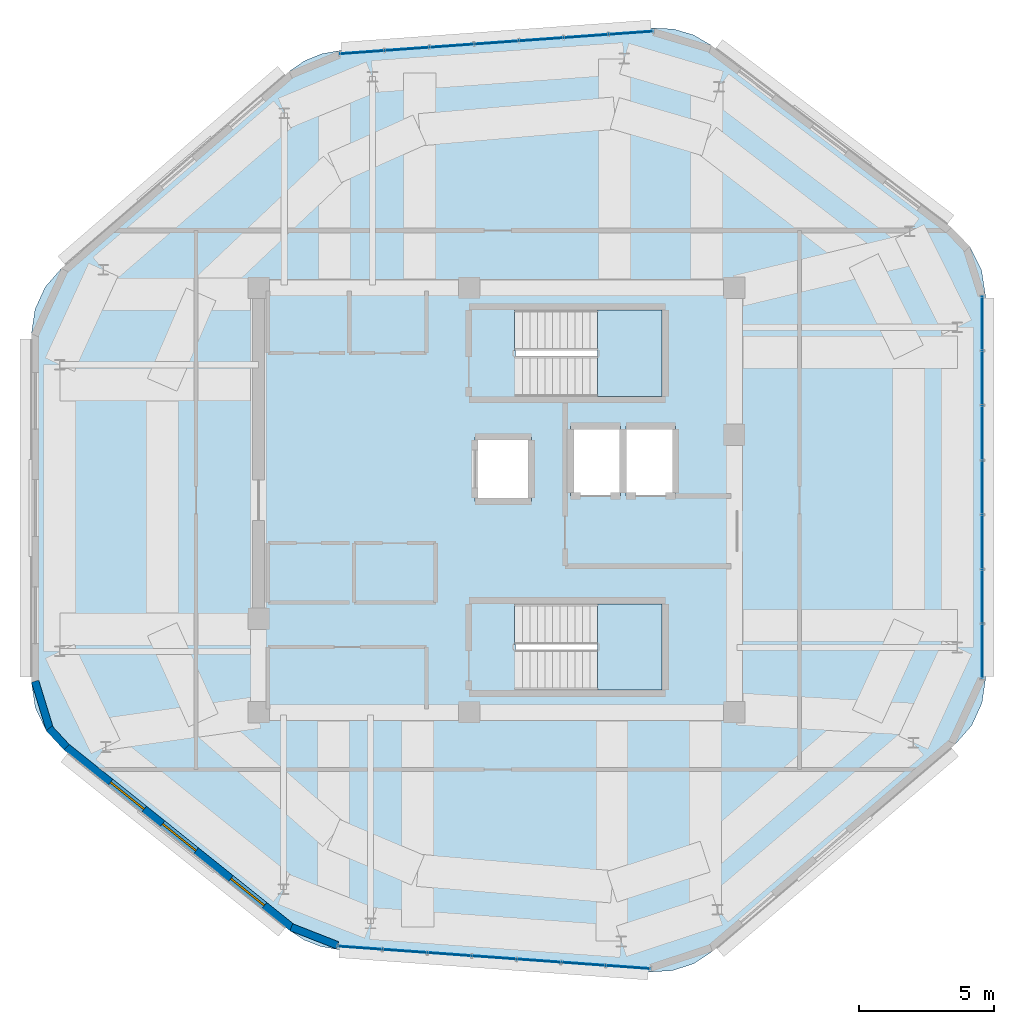
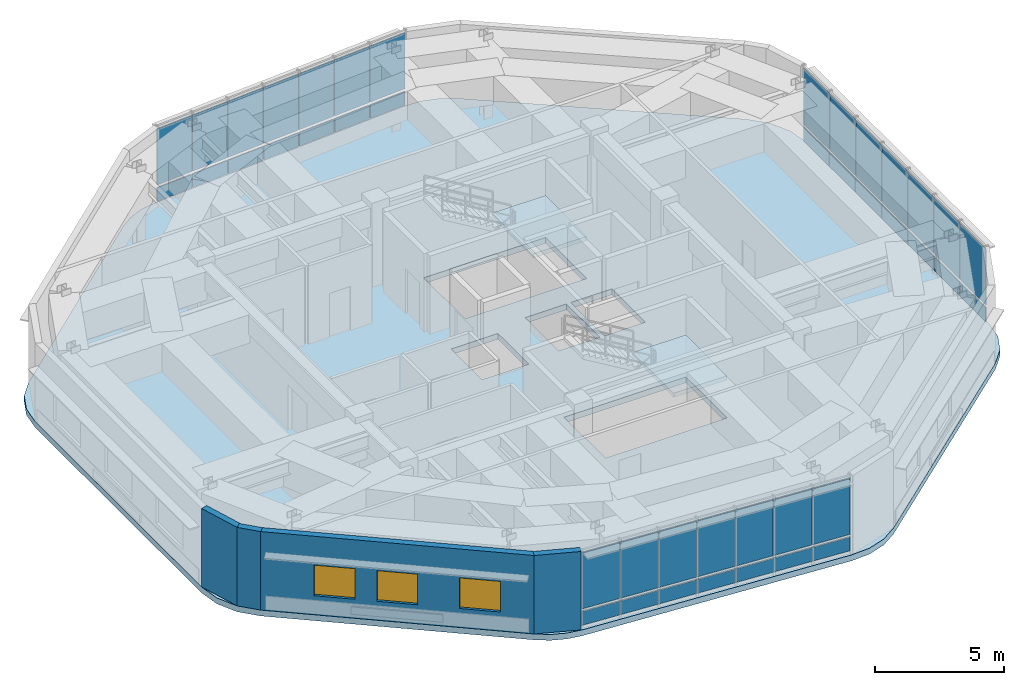
# One storey, part 9 of 12: 42 plates, 4 walls, 3 slabs, 3 windows, 3 openings, 5 elements without a shape of their own.
"""IFC4 building model written with IfcOpenShell, lengths in metres."""

from ifc_helpers import new_model, si_unit, direction, frame, frame_2d, origin, origin_2d, place, context, subcontext, project, spatial, polyline, rectangle, outline, extrude, material, layer, layer_set, type_object, element, fill, aggregate, save


model = new_model("IFC4")

# Units and contexts
model_context = context("Model", 3, precision=1e-05, world=origin(), true_north=direction((0.0, 1.0)))
body_context = subcontext(model_context, "Body", "Model", "MODEL_VIEW")
ifc_project = project(units=[si_unit("LENGTHUNIT", "METRE"), si_unit("AREAUNIT", "SQUARE_METRE"), si_unit("VOLUMEUNIT", "CUBIC_METRE"), si_unit("PLANEANGLEUNIT", "RADIAN"), si_unit("MASSUNIT", "GRAM", prefix="KILO")], contexts=[model_context])

# Site, building, storey
site_placement = place(None, origin())
site = spatial("IfcSite", under=ifc_project, at=site_placement, CompositionType="ELEMENT")
building_placement = place(site_placement, origin())
building = spatial("IfcBuilding", under=site, at=building_placement, Name="Zulverin Broadcast Headquarters", CompositionType="ELEMENT")
storey_placement = place(building_placement, frame((0.0, 0.0, 325.39990234375)))
storey = spatial("IfcBuildingStorey", under=building, at=storey_placement, Name="C4", CompositionType="ELEMENT", Elevation=325.39990234375)

# Curtain wall, plates
ifc_material_1 = material(Name="Crown damper-hall structural glass curtain wall", Category="glass")
curtain_wall_type = type_object("IfcCurtainWallType", Name="CW-CRN", PredefinedType="USERDEFINED", material=ifc_material_1)
curtain_wall_1_placement = place(storey_placement, origin())
curtain_wall_1 = element("IfcCurtainWall", 1, at=curtain_wall_1_placement, inside=storey, type_object=curtain_wall_type, Name="C4 Unitised Curtain Wall CW-C4-E1", ObjectType="UNITISED CURTAIN WALL", PredefinedType="USERDEFINED")
ifc_material_2 = material(Name="Low-E double-glazed pale-silver vision glass", Category="glass")
ifc_layer_1 = layer(ifc_material_2, 0.035888671875, Name="Low-E double-glazed pale-silver vision glass", Category="glass")
ifc_layer_set_1 = layer_set([ifc_layer_1], Name="Low-E double-glazed pale-silver vision glass")
plate_type_1 = type_object("IfcPlateType", Name="CW-PNL-GLZ", PredefinedType="CURTAIN_PANEL", material=ifc_layer_set_1)
plate_1_placement = place(storey_placement, frame((34.397705078125, 8.588623046875, 0.9150390625), z_axis=(0.0, 0.0, 1.0), x_axis=(0.997420903458, -0.071774238726, 0.0)))
plate_1 = element("IfcPlate", 2, at=plate_1_placement, type_object=plate_type_1, Name="CW-C4-E1 Vision Panel 00", PredefinedType="CURTAIN_PANEL", context=body_context, shape_type="SweptSolid", body=[
    extrude(rectangle(XDim=1.62060546875, YDim=0.035888671875, at=origin_2d()), origin(), (0.0, 0.0, 1.0), 2.6650390625),
])
plate_2_placement = place(storey_placement, frame((36.05419921875, 8.469482421875, 0.9150390625), z_axis=(0.0, 0.0, 1.0), x_axis=(0.997420903458, -0.071774238726, 0.0)))
plate_2 = element("IfcPlate", 3, at=plate_2_placement, type_object=plate_type_1, Name="CW-C4-E1 Vision Panel 01", PredefinedType="CURTAIN_PANEL", context=body_context, shape_type="SweptSolid", body=[
    extrude(rectangle(XDim=1.62060546875, YDim=0.035888671875, at=origin_2d()), origin(), (0.0, 0.0, 1.0), 2.6650390625),
])
plate_3_placement = place(storey_placement, frame((37.71044921875, 8.35009765625, 0.9150390625), z_axis=(0.0, 0.0, 1.0), x_axis=(0.997420903458, -0.071774238726, 0.0)))
plate_3 = element("IfcPlate", 4, at=plate_3_placement, type_object=plate_type_1, Name="CW-C4-E1 Vision Panel 02", PredefinedType="CURTAIN_PANEL", context=body_context, shape_type="SweptSolid", body=[
    extrude(rectangle(XDim=1.62060546875, YDim=0.035888671875, at=origin_2d()), origin(), (0.0, 0.0, 1.0), 2.6650390625),
])
plate_4_placement = place(storey_placement, frame((39.36669921875, 8.23095703125, 0.9150390625), z_axis=(0.0, 0.0, 1.0), x_axis=(0.997420903458, -0.071774238726, 0.0)))
plate_4 = element("IfcPlate", 5, at=plate_4_placement, type_object=plate_type_1, Name="CW-C4-E1 Vision Panel 03", PredefinedType="CURTAIN_PANEL", context=body_context, shape_type="SweptSolid", body=[
    extrude(rectangle(XDim=1.62060546875, YDim=0.035888671875, at=origin_2d()), origin(), (0.0, 0.0, 1.0), 2.6650390625),
])
plate_5_placement = place(storey_placement, frame((41.02294921875, 8.11181640625, 0.9150390625), z_axis=(0.0, 0.0, 1.0), x_axis=(0.997420903458, -0.071774238726, 0.0)))
plate_5 = element("IfcPlate", 6, at=plate_5_placement, type_object=plate_type_1, Name="CW-C4-E1 Vision Panel 04", PredefinedType="CURTAIN_PANEL", context=body_context, shape_type="SweptSolid", body=[
    extrude(rectangle(XDim=1.62060546875, YDim=0.035888671875, at=origin_2d()), origin(), (0.0, 0.0, 1.0), 2.6650390625),
])
plate_6_placement = place(storey_placement, frame((42.67919921875, 7.99267578125, 0.9150390625), z_axis=(0.0, 0.0, 1.0), x_axis=(0.997420903458, -0.071774238726, 0.0)))
plate_6 = element("IfcPlate", 7, at=plate_6_placement, type_object=plate_type_1, Name="CW-C4-E1 Vision Panel 05", PredefinedType="CURTAIN_PANEL", context=body_context, shape_type="SweptSolid", body=[
    extrude(rectangle(XDim=1.62060546875, YDim=0.035888671875, at=origin_2d()), origin(), (0.0, 0.0, 1.0), 2.6650390625),
])
plate_7_placement = place(storey_placement, frame((44.335693359375, 7.87353515625, 0.9150390625), z_axis=(0.0, 0.0, 1.0), x_axis=(0.997420903458, -0.071774238726, 0.0)))
plate_7 = element("IfcPlate", 8, at=plate_7_placement, type_object=plate_type_1, Name="CW-C4-E1 Vision Panel 06", PredefinedType="CURTAIN_PANEL", context=body_context, shape_type="SweptSolid", body=[
    extrude(rectangle(XDim=1.62060546875, YDim=0.035888671875, at=origin_2d()), origin(), (0.0, 0.0, 1.0), 2.6650390625),
])

curtain_wall_2_placement = place(storey_placement, origin())
curtain_wall_2 = element("IfcCurtainWall", 9, at=curtain_wall_2_placement, inside=storey, type_object=curtain_wall_type, Name="C4 Unitised Curtain Wall CW-C4-E3", ObjectType="UNITISED CURTAIN WALL", PredefinedType="USERDEFINED")
plate_8_placement = place(storey_placement, frame((57.47998046875, 19.593017578125, 0.9150390625), z_axis=(0.0, 0.0, 1.0), x_axis=(0.0, 1.0, 0.0)))
plate_8 = element("IfcPlate", 10, at=plate_8_placement, type_object=plate_type_1, Name="CW-C4-E3 Vision Panel 00", PredefinedType="CURTAIN_PANEL", context=body_context, shape_type="SweptSolid", body=[
    extrude(rectangle(XDim=1.986083984375, YDim=0.035888671875, at=origin_2d()), origin(), (0.0, 0.0, 1.0), 2.6650390625),
])
plate_9_placement = place(storey_placement, frame((57.47998046875, 21.619140625, 0.9150390625), z_axis=(0.0, 0.0, 1.0), x_axis=(0.0, 1.0, 0.0)))
plate_9 = element("IfcPlate", 11, at=plate_9_placement, type_object=plate_type_1, Name="CW-C4-E3 Vision Panel 01", PredefinedType="CURTAIN_PANEL", context=body_context, shape_type="SweptSolid", body=[
    extrude(rectangle(XDim=1.986083984375, YDim=0.035888671875, at=origin_2d()), origin(), (0.0, 0.0, 1.0), 2.6650390625),
])
plate_10_placement = place(storey_placement, frame((57.47998046875, 23.645263671875, 0.9150390625), z_axis=(0.0, 0.0, 1.0), x_axis=(0.0, 1.0, 0.0)))
plate_10 = element("IfcPlate", 12, at=plate_10_placement, type_object=plate_type_1, Name="CW-C4-E3 Vision Panel 02", PredefinedType="CURTAIN_PANEL", context=body_context, shape_type="SweptSolid", body=[
    extrude(rectangle(XDim=1.986083984375, YDim=0.035888671875, at=origin_2d()), origin(), (0.0, 0.0, 1.0), 2.6650390625),
])
plate_11_placement = place(storey_placement, frame((57.47998046875, 25.67138671875, 0.9150390625), z_axis=(0.0, 0.0, 1.0), x_axis=(0.0, 1.0, 0.0)))
plate_11 = element("IfcPlate", 13, at=plate_11_placement, type_object=plate_type_1, Name="CW-C4-E3 Vision Panel 03", PredefinedType="CURTAIN_PANEL", context=body_context, shape_type="SweptSolid", body=[
    extrude(rectangle(XDim=1.986083984375, YDim=0.035888671875, at=origin_2d()), origin(), (0.0, 0.0, 1.0), 2.6650390625),
])
plate_12_placement = place(storey_placement, frame((57.47998046875, 27.697509765625, 0.9150390625), z_axis=(0.0, 0.0, 1.0), x_axis=(0.0, 1.0, 0.0)))
plate_12 = element("IfcPlate", 14, at=plate_12_placement, type_object=plate_type_1, Name="CW-C4-E3 Vision Panel 04", PredefinedType="CURTAIN_PANEL", context=body_context, shape_type="SweptSolid", body=[
    extrude(rectangle(XDim=1.986083984375, YDim=0.035888671875, at=origin_2d()), origin(), (0.0, 0.0, 1.0), 2.6650390625),
])
plate_13_placement = place(storey_placement, frame((57.47998046875, 29.723876953125, 0.9150390625), z_axis=(0.0, 0.0, 1.0), x_axis=(0.0, 1.0, 0.0)))
plate_13 = element("IfcPlate", 15, at=plate_13_placement, type_object=plate_type_1, Name="CW-C4-E3 Vision Panel 05", PredefinedType="CURTAIN_PANEL", context=body_context, shape_type="SweptSolid", body=[
    extrude(rectangle(XDim=1.986083984375, YDim=0.035888671875, at=origin_2d()), origin(), (0.0, 0.0, 1.0), 2.6650390625),
])
plate_14_placement = place(storey_placement, frame((57.47998046875, 31.75, 0.9150390625), z_axis=(0.0, 0.0, 1.0), x_axis=(0.0, 1.0, 0.0)))
plate_14 = element("IfcPlate", 16, at=plate_14_placement, type_object=plate_type_1, Name="CW-C4-E3 Vision Panel 06", PredefinedType="CURTAIN_PANEL", context=body_context, shape_type="SweptSolid", body=[
    extrude(rectangle(XDim=1.986083984375, YDim=0.035888671875, at=origin_2d()), origin(), (0.0, 0.0, 1.0), 2.6650390625),
])

curtain_wall_3_placement = place(storey_placement, origin())
curtain_wall_3 = element("IfcCurtainWall", 17, at=curtain_wall_3_placement, inside=storey, type_object=curtain_wall_type, Name="C4 Unitised Curtain Wall CW-C4-E5", ObjectType="UNITISED CURTAIN WALL", PredefinedType="USERDEFINED")
plate_15_placement = place(storey_placement, frame((44.438720703125, 42.533935546875, 0.9150390625), z_axis=(0.0, 0.0, 1.0), x_axis=(-0.997421153991, -0.071770757069, 0.0)))
plate_15 = element("IfcPlate", 18, at=plate_15_placement, type_object=plate_type_1, Name="CW-C4-E5 Vision Panel 00", PredefinedType="CURTAIN_PANEL", context=body_context, shape_type="SweptSolid", body=[
    extrude(rectangle(XDim=1.626220703125, YDim=0.035888671875, at=origin_2d()), origin(), (0.0, 0.0, 1.0), 2.6650390625),
])
plate_16_placement = place(storey_placement, frame((42.77685546875, 42.414306640625, 0.9150390625), z_axis=(0.0, 0.0, 1.0), x_axis=(-0.997421153991, -0.071770757069, 0.0)))
plate_16 = element("IfcPlate", 19, at=plate_16_placement, type_object=plate_type_1, Name="CW-C4-E5 Vision Panel 01", PredefinedType="CURTAIN_PANEL", context=body_context, shape_type="SweptSolid", body=[
    extrude(rectangle(XDim=1.626220703125, YDim=0.035888671875, at=origin_2d()), origin(), (0.0, 0.0, 1.0), 2.6650390625),
])
plate_17_placement = place(storey_placement, frame((41.114990234375, 42.294677734375, 0.9150390625), z_axis=(0.0, 0.0, 1.0), x_axis=(-0.997421153991, -0.071770757069, 0.0)))
plate_17 = element("IfcPlate", 20, at=plate_17_placement, type_object=plate_type_1, Name="CW-C4-E5 Vision Panel 02", PredefinedType="CURTAIN_PANEL", context=body_context, shape_type="SweptSolid", body=[
    extrude(rectangle(XDim=1.626220703125, YDim=0.035888671875, at=origin_2d()), origin(), (0.0, 0.0, 1.0), 2.6650390625),
])
plate_18_placement = place(storey_placement, frame((39.452880859375, 42.17529296875, 0.9150390625), z_axis=(0.0, 0.0, 1.0), x_axis=(-0.997421153991, -0.071770757069, 0.0)))
plate_18 = element("IfcPlate", 21, at=plate_18_placement, type_object=plate_type_1, Name="CW-C4-E5 Vision Panel 03", PredefinedType="CURTAIN_PANEL", context=body_context, shape_type="SweptSolid", body=[
    extrude(rectangle(XDim=1.626220703125, YDim=0.035888671875, at=origin_2d()), origin(), (0.0, 0.0, 1.0), 2.6650390625),
])
plate_19_placement = place(storey_placement, frame((37.791015625, 42.0556640625, 0.9150390625), z_axis=(0.0, 0.0, 1.0), x_axis=(-0.997421153991, -0.071770757069, 0.0)))
plate_19 = element("IfcPlate", 22, at=plate_19_placement, type_object=plate_type_1, Name="CW-C4-E5 Vision Panel 04", PredefinedType="CURTAIN_PANEL", context=body_context, shape_type="SweptSolid", body=[
    extrude(rectangle(XDim=1.626220703125, YDim=0.035888671875, at=origin_2d()), origin(), (0.0, 0.0, 1.0), 2.6650390625),
])
plate_20_placement = place(storey_placement, frame((36.129150390625, 41.93603515625, 0.9150390625), z_axis=(0.0, 0.0, 1.0), x_axis=(-0.997421153991, -0.071770757069, 0.0)))
plate_20 = element("IfcPlate", 23, at=plate_20_placement, type_object=plate_type_1, Name="CW-C4-E5 Vision Panel 05", PredefinedType="CURTAIN_PANEL", context=body_context, shape_type="SweptSolid", body=[
    extrude(rectangle(XDim=1.626220703125, YDim=0.035888671875, at=origin_2d()), origin(), (0.0, 0.0, 1.0), 2.6650390625),
])
plate_21_placement = place(storey_placement, frame((34.46728515625, 41.81640625, 0.9150390625), z_axis=(0.0, 0.0, 1.0), x_axis=(-0.997421153991, -0.071770757069, 0.0)))
plate_21 = element("IfcPlate", 24, at=plate_21_placement, type_object=plate_type_1, Name="CW-C4-E5 Vision Panel 06", PredefinedType="CURTAIN_PANEL", context=body_context, shape_type="SweptSolid", body=[
    extrude(rectangle(XDim=1.626220703125, YDim=0.035888671875, at=origin_2d()), origin(), (0.0, 0.0, 1.0), 2.6650390625),
])

# Plate
ifc_material_3 = material(Name="Insulated brushed pale-aluminium spandrel cassette", Category="aluminium")
ifc_layer_2 = layer(ifc_material_3, 0.050048828125, Name="Insulated brushed pale-aluminium spandrel cassette", Category="aluminium")
ifc_layer_set_2 = layer_set([ifc_layer_2], Name="Insulated brushed pale-aluminium spandrel cassette")
plate_type_2 = type_object("IfcPlateType", Name="CW-PNL-SPN", PredefinedType="CURTAIN_PANEL", material=ifc_layer_set_2)
plate_22_placement = place(storey_placement, frame((34.397705078125, 8.588623046875, 0.14013671875), z_axis=(0.0, 0.0, 1.0), x_axis=(0.997420903458, -0.071774238726, 0.0)))
plate_22 = element("IfcPlate", 25, at=plate_22_placement, type_object=plate_type_2, Name="CW-C4-E1 Spandrel Cassette 00", PredefinedType="CURTAIN_PANEL", context=body_context, shape_type="SweptSolid", body=[
    extrude(rectangle(XDim=1.62060546875, YDim=0.050048828125, at=origin_2d()), origin(), (0.0, 0.0, 1.0), 0.64501953125),
])

plate_23_placement = place(storey_placement, frame((36.05419921875, 8.469482421875, 0.14013671875), z_axis=(0.0, 0.0, 1.0), x_axis=(0.997420903458, -0.071774238726, 0.0)))
plate_23 = element("IfcPlate", 26, at=plate_23_placement, type_object=plate_type_2, Name="CW-C4-E1 Spandrel Cassette 01", PredefinedType="CURTAIN_PANEL", context=body_context, shape_type="SweptSolid", body=[
    extrude(rectangle(XDim=1.62060546875, YDim=0.050048828125, at=origin_2d()), origin(), (0.0, 0.0, 1.0), 0.64501953125),
])

plate_24_placement = place(storey_placement, frame((37.71044921875, 8.35009765625, 0.14013671875), z_axis=(0.0, 0.0, 1.0), x_axis=(0.997420903458, -0.071774238726, 0.0)))
plate_24 = element("IfcPlate", 27, at=plate_24_placement, type_object=plate_type_2, Name="CW-C4-E1 Spandrel Cassette 02", PredefinedType="CURTAIN_PANEL", context=body_context, shape_type="SweptSolid", body=[
    extrude(rectangle(XDim=1.62060546875, YDim=0.050048828125, at=origin_2d()), origin(), (0.0, 0.0, 1.0), 0.64501953125),
])

plate_25_placement = place(storey_placement, frame((39.36669921875, 8.23095703125, 0.14013671875), z_axis=(0.0, 0.0, 1.0), x_axis=(0.997420903458, -0.071774238726, 0.0)))
plate_25 = element("IfcPlate", 28, at=plate_25_placement, type_object=plate_type_2, Name="CW-C4-E1 Spandrel Cassette 03", PredefinedType="CURTAIN_PANEL", context=body_context, shape_type="SweptSolid", body=[
    extrude(rectangle(XDim=1.62060546875, YDim=0.050048828125, at=origin_2d()), origin(), (0.0, 0.0, 1.0), 0.64501953125),
])

plate_26_placement = place(storey_placement, frame((41.02294921875, 8.11181640625, 0.14013671875), z_axis=(0.0, 0.0, 1.0), x_axis=(0.997420903458, -0.071774238726, 0.0)))
plate_26 = element("IfcPlate", 29, at=plate_26_placement, type_object=plate_type_2, Name="CW-C4-E1 Spandrel Cassette 04", PredefinedType="CURTAIN_PANEL", context=body_context, shape_type="SweptSolid", body=[
    extrude(rectangle(XDim=1.62060546875, YDim=0.050048828125, at=origin_2d()), origin(), (0.0, 0.0, 1.0), 0.64501953125),
])

plate_27_placement = place(storey_placement, frame((42.67919921875, 7.99267578125, 0.14013671875), z_axis=(0.0, 0.0, 1.0), x_axis=(0.997420903458, -0.071774238726, 0.0)))
plate_27 = element("IfcPlate", 30, at=plate_27_placement, type_object=plate_type_2, Name="CW-C4-E1 Spandrel Cassette 05", PredefinedType="CURTAIN_PANEL", context=body_context, shape_type="SweptSolid", body=[
    extrude(rectangle(XDim=1.62060546875, YDim=0.050048828125, at=origin_2d()), origin(), (0.0, 0.0, 1.0), 0.64501953125),
])

plate_28_placement = place(storey_placement, frame((44.335693359375, 7.87353515625, 0.14013671875), z_axis=(0.0, 0.0, 1.0), x_axis=(0.997420903458, -0.071774238726, 0.0)))
plate_28 = element("IfcPlate", 31, at=plate_28_placement, type_object=plate_type_2, Name="CW-C4-E1 Spandrel Cassette 06", PredefinedType="CURTAIN_PANEL", context=body_context, shape_type="SweptSolid", body=[
    extrude(rectangle(XDim=1.62060546875, YDim=0.050048828125, at=origin_2d()), origin(), (0.0, 0.0, 1.0), 0.64501953125),
])

aggregate(curtain_wall_1, [plate_22, plate_1, plate_23, plate_2, plate_24, plate_3, plate_25, plate_4, plate_26, plate_5, plate_27, plate_6, plate_28, plate_7])

plate_29_placement = place(storey_placement, frame((57.47998046875, 19.593017578125, 0.14013671875), z_axis=(0.0, 0.0, 1.0), x_axis=(0.0, 1.0, 0.0)))
plate_29 = element("IfcPlate", 32, at=plate_29_placement, type_object=plate_type_2, Name="CW-C4-E3 Spandrel Cassette 00", PredefinedType="CURTAIN_PANEL", context=body_context, shape_type="SweptSolid", body=[
    extrude(rectangle(XDim=1.986083984375, YDim=0.050048828125, at=origin_2d()), origin(), (0.0, 0.0, 1.0), 0.64501953125),
])

plate_30_placement = place(storey_placement, frame((57.47998046875, 21.619140625, 0.14013671875), z_axis=(0.0, 0.0, 1.0), x_axis=(0.0, 1.0, 0.0)))
plate_30 = element("IfcPlate", 33, at=plate_30_placement, type_object=plate_type_2, Name="CW-C4-E3 Spandrel Cassette 01", PredefinedType="CURTAIN_PANEL", context=body_context, shape_type="SweptSolid", body=[
    extrude(rectangle(XDim=1.986083984375, YDim=0.050048828125, at=origin_2d()), origin(), (0.0, 0.0, 1.0), 0.64501953125),
])

plate_31_placement = place(storey_placement, frame((57.47998046875, 23.645263671875, 0.14013671875), z_axis=(0.0, 0.0, 1.0), x_axis=(0.0, 1.0, 0.0)))
plate_31 = element("IfcPlate", 34, at=plate_31_placement, type_object=plate_type_2, Name="CW-C4-E3 Spandrel Cassette 02", PredefinedType="CURTAIN_PANEL", context=body_context, shape_type="SweptSolid", body=[
    extrude(rectangle(XDim=1.986083984375, YDim=0.050048828125, at=origin_2d()), origin(), (0.0, 0.0, 1.0), 0.64501953125),
])

plate_32_placement = place(storey_placement, frame((57.47998046875, 25.67138671875, 0.14013671875), z_axis=(0.0, 0.0, 1.0), x_axis=(0.0, 1.0, 0.0)))
plate_32 = element("IfcPlate", 35, at=plate_32_placement, type_object=plate_type_2, Name="CW-C4-E3 Spandrel Cassette 03", PredefinedType="CURTAIN_PANEL", context=body_context, shape_type="SweptSolid", body=[
    extrude(rectangle(XDim=1.986083984375, YDim=0.050048828125, at=origin_2d()), origin(), (0.0, 0.0, 1.0), 0.64501953125),
])

plate_33_placement = place(storey_placement, frame((57.47998046875, 27.697509765625, 0.14013671875), z_axis=(0.0, 0.0, 1.0), x_axis=(0.0, 1.0, 0.0)))
plate_33 = element("IfcPlate", 36, at=plate_33_placement, type_object=plate_type_2, Name="CW-C4-E3 Spandrel Cassette 04", PredefinedType="CURTAIN_PANEL", context=body_context, shape_type="SweptSolid", body=[
    extrude(rectangle(XDim=1.986083984375, YDim=0.050048828125, at=origin_2d()), origin(), (0.0, 0.0, 1.0), 0.64501953125),
])

plate_34_placement = place(storey_placement, frame((57.47998046875, 29.723876953125, 0.14013671875), z_axis=(0.0, 0.0, 1.0), x_axis=(0.0, 1.0, 0.0)))
plate_34 = element("IfcPlate", 37, at=plate_34_placement, type_object=plate_type_2, Name="CW-C4-E3 Spandrel Cassette 05", PredefinedType="CURTAIN_PANEL", context=body_context, shape_type="SweptSolid", body=[
    extrude(rectangle(XDim=1.986083984375, YDim=0.050048828125, at=origin_2d()), origin(), (0.0, 0.0, 1.0), 0.64501953125),
])

plate_35_placement = place(storey_placement, frame((57.47998046875, 31.75, 0.14013671875), z_axis=(0.0, 0.0, 1.0), x_axis=(0.0, 1.0, 0.0)))
plate_35 = element("IfcPlate", 38, at=plate_35_placement, type_object=plate_type_2, Name="CW-C4-E3 Spandrel Cassette 06", PredefinedType="CURTAIN_PANEL", context=body_context, shape_type="SweptSolid", body=[
    extrude(rectangle(XDim=1.986083984375, YDim=0.050048828125, at=origin_2d()), origin(), (0.0, 0.0, 1.0), 0.64501953125),
])

aggregate(curtain_wall_2, [plate_29, plate_8, plate_30, plate_9, plate_31, plate_10, plate_32, plate_11, plate_33, plate_12, plate_34, plate_13, plate_35, plate_14])

plate_36_placement = place(storey_placement, frame((44.438720703125, 42.533935546875, 0.14013671875), z_axis=(0.0, 0.0, 1.0), x_axis=(-0.997421153991, -0.071770757069, 0.0)))
plate_36 = element("IfcPlate", 39, at=plate_36_placement, type_object=plate_type_2, Name="CW-C4-E5 Spandrel Cassette 00", PredefinedType="CURTAIN_PANEL", context=body_context, shape_type="SweptSolid", body=[
    extrude(rectangle(XDim=1.626220703125, YDim=0.050048828125, at=origin_2d()), origin(), (0.0, 0.0, 1.0), 0.64501953125),
])

plate_37_placement = place(storey_placement, frame((42.77685546875, 42.414306640625, 0.14013671875), z_axis=(0.0, 0.0, 1.0), x_axis=(-0.997421153991, -0.071770757069, 0.0)))
plate_37 = element("IfcPlate", 40, at=plate_37_placement, type_object=plate_type_2, Name="CW-C4-E5 Spandrel Cassette 01", PredefinedType="CURTAIN_PANEL", context=body_context, shape_type="SweptSolid", body=[
    extrude(rectangle(XDim=1.626220703125, YDim=0.050048828125, at=origin_2d()), origin(), (0.0, 0.0, 1.0), 0.64501953125),
])

plate_38_placement = place(storey_placement, frame((41.114990234375, 42.294677734375, 0.14013671875), z_axis=(0.0, 0.0, 1.0), x_axis=(-0.997421153991, -0.071770757069, 0.0)))
plate_38 = element("IfcPlate", 41, at=plate_38_placement, type_object=plate_type_2, Name="CW-C4-E5 Spandrel Cassette 02", PredefinedType="CURTAIN_PANEL", context=body_context, shape_type="SweptSolid", body=[
    extrude(rectangle(XDim=1.626220703125, YDim=0.050048828125, at=origin_2d()), origin(), (0.0, 0.0, 1.0), 0.64501953125),
])

plate_39_placement = place(storey_placement, frame((39.452880859375, 42.17529296875, 0.14013671875), z_axis=(0.0, 0.0, 1.0), x_axis=(-0.997421153991, -0.071770757069, 0.0)))
plate_39 = element("IfcPlate", 42, at=plate_39_placement, type_object=plate_type_2, Name="CW-C4-E5 Spandrel Cassette 03", PredefinedType="CURTAIN_PANEL", context=body_context, shape_type="SweptSolid", body=[
    extrude(rectangle(XDim=1.626220703125, YDim=0.050048828125, at=origin_2d()), origin(), (0.0, 0.0, 1.0), 0.64501953125),
])

plate_40_placement = place(storey_placement, frame((37.791015625, 42.0556640625, 0.14013671875), z_axis=(0.0, 0.0, 1.0), x_axis=(-0.997421153991, -0.071770757069, 0.0)))
plate_40 = element("IfcPlate", 43, at=plate_40_placement, type_object=plate_type_2, Name="CW-C4-E5 Spandrel Cassette 04", PredefinedType="CURTAIN_PANEL", context=body_context, shape_type="SweptSolid", body=[
    extrude(rectangle(XDim=1.626220703125, YDim=0.050048828125, at=origin_2d()), origin(), (0.0, 0.0, 1.0), 0.64501953125),
])

plate_41_placement = place(storey_placement, frame((36.129150390625, 41.93603515625, 0.14013671875), z_axis=(0.0, 0.0, 1.0), x_axis=(-0.997421153991, -0.071770757069, 0.0)))
plate_41 = element("IfcPlate", 44, at=plate_41_placement, type_object=plate_type_2, Name="CW-C4-E5 Spandrel Cassette 05", PredefinedType="CURTAIN_PANEL", context=body_context, shape_type="SweptSolid", body=[
    extrude(rectangle(XDim=1.626220703125, YDim=0.050048828125, at=origin_2d()), origin(), (0.0, 0.0, 1.0), 0.64501953125),
])

plate_42_placement = place(storey_placement, frame((34.46728515625, 41.81640625, 0.14013671875), z_axis=(0.0, 0.0, 1.0), x_axis=(-0.997421153991, -0.071770757069, 0.0)))
plate_42 = element("IfcPlate", 45, at=plate_42_placement, type_object=plate_type_2, Name="CW-C4-E5 Spandrel Cassette 06", PredefinedType="CURTAIN_PANEL", context=body_context, shape_type="SweptSolid", body=[
    extrude(rectangle(XDim=1.626220703125, YDim=0.050048828125, at=origin_2d()), origin(), (0.0, 0.0, 1.0), 0.64501953125),
])

aggregate(curtain_wall_3, [plate_36, plate_15, plate_37, plate_16, plate_38, plate_17, plate_39, plate_18, plate_40, plate_19, plate_41, plate_20, plate_42, plate_21])

# Slab
ifc_material_4 = material(Name="Concrete C40/50", Category="concrete")
ifc_layer_3 = layer(ifc_material_4, 0.280029296875, Name="Concrete C40/50", Category="concrete")
ifc_layer_set_3 = layer_set([ifc_layer_3], Name="Concrete C40/50")
slab_type_1 = type_object("IfcSlabType", Name="SLB-CRN-280", PredefinedType="FLOOR", material=ifc_layer_set_3)
slab_1_placement = place(storey_placement, frame((0.0, 0.0, -0.27978515625)))
element("IfcSlab", 46, at=slab_1_placement, inside=storey, type_object=slab_type_1, Name="C4 Main Structural Floor Slab", PredefinedType="FLOOR", context=body_context, shape_type="SweptSolid", body=[
    extrude(outline(polyline([(31.790771484375, 9.22216796875), (32.330078125, 8.873046875), (32.927978515625, 8.638671875), (33.56103515625, 8.528564453125), (45.155029296875, 7.694091796875), (45.981689453125, 7.7421875), (46.768310546875, 8.00048828125), (47.462158203125, 8.451904296875), (56.477294921875, 16.14599609375), (57.083251953125, 16.83642578125), (57.468017578125, 17.670654296875), (57.60009765625, 18.579833984375), (57.60009765625, 32.762939453125), (57.4501953125, 33.730712890625), (57.014404296875, 34.60791015625), (56.333984375, 35.3125), (47.4248046875, 42.071044921875), (46.7626953125, 42.4580078125), (46.027099609375, 42.676513671875), (45.260986328125, 42.71337890625), (33.627685546875, 41.876220703125), (32.9560546875, 41.7548828125), (32.3251953125, 41.493896484375), (31.764404296875, 41.105224609375), (23.30712890625, 33.793212890625), (22.709228515625, 33.1044921875), (22.330078125, 32.275146484375), (22.199951171875, 31.37255859375), (22.199951171875, 18.4375), (22.341552734375, 17.49609375), (22.75390625, 16.637939453125), (23.400146484375, 15.939208984375), (31.790771484375, 9.22216796875)]), holes=[polyline([(40.155029296875, 30.75), (40.13037109375, 30.75), (40.13037109375, 32.25), (45.60009765625, 32.25), (45.60009765625, 29.050048828125), (40.155029296875, 29.050048828125), (40.155029296875, 30.75)]), polyline([(40.155029296875, 19.85009765625), (40.13037109375, 19.85009765625), (40.13037109375, 21.35009765625), (45.60009765625, 21.35009765625), (45.60009765625, 18.14990234375), (40.155029296875, 18.14990234375), (40.155029296875, 19.85009765625)]), polyline([(42.199951171875, 25.35009765625), (44.050048828125, 25.35009765625), (44.050048828125, 27.949951171875), (42.199951171875, 27.949951171875), (42.199951171875, 25.35009765625)]), polyline([(44.25, 25.35009765625), (46.10009765625, 25.35009765625), (46.10009765625, 27.949951171875), (44.25, 27.949951171875), (44.25, 25.35009765625)]), polyline([(38.64990234375, 25.14990234375), (40.75, 25.14990234375), (40.75, 27.550048828125), (38.64990234375, 27.550048828125), (38.64990234375, 25.14990234375)])]), origin(), (0.0, 0.0, 1.0), 0.27978515625),
])

# Stair, slab
stair_type = type_object("IfcStairType", Name="ST-CORE-1500", PredefinedType="HALF_TURN_STAIR", material=ifc_material_4)
stair_1_placement = place(storey_placement, origin())
stair_1 = element("IfcStair", 47, at=stair_1_placement, inside=storey, type_object=stair_type, Name="C4 Core Exit Stair ST-1", PredefinedType="HALF_TURN_STAIR")
ifc_layer_4 = layer(ifc_material_4, 0.199951171875, Name="Concrete C40/50", Category="concrete")
ifc_layer_set_4 = layer_set([ifc_layer_4], Name="Concrete C40/50")
slab_type_2 = type_object("IfcSlabType", Name="SLB-ST-LND200", PredefinedType="LANDING", material=ifc_layer_set_4)
slab_2_placement = place(storey_placement, frame((0.0, 0.0, 1.800048828125)))
slab_2 = element("IfcSlab", 48, at=slab_2_placement, type_object=slab_type_2, Name="ST-1 landing 1", PredefinedType="LANDING", context=body_context, shape_type="SweptSolid", body=[
    extrude(outline(polyline([(43.2099609375, 29.050048828125), (45.60009765625, 29.050048828125), (45.60009765625, 32.25), (43.2099609375, 32.25), (43.2099609375, 29.050048828125)])), origin(), (0.0, 0.0, 1.0), 0.199951171875),
])
aggregate(stair_1, [slab_2])

stair_2_placement = place(storey_placement, origin())
stair_2 = element("IfcStair", 49, at=stair_2_placement, inside=storey, type_object=stair_type, Name="C4 Core Exit Stair ST-2", PredefinedType="HALF_TURN_STAIR")
slab_3_placement = place(storey_placement, frame((0.0, 0.0, 1.800048828125)))
slab_3 = element("IfcSlab", 50, at=slab_3_placement, type_object=slab_type_2, Name="ST-2 landing 1", PredefinedType="LANDING", context=body_context, shape_type="SweptSolid", body=[
    extrude(outline(polyline([(43.2099609375, 18.14990234375), (45.60009765625, 18.14990234375), (45.60009765625, 21.35009765625), (43.2099609375, 21.35009765625), (43.2099609375, 18.14990234375)])), origin(), (0.0, 0.0, 1.0), 0.199951171875),
])
aggregate(stair_2, [slab_3])

# Wall, openings, windows
ifc_material_5 = material(Name="Insulated pale-metal clad concrete spandrel C40/50", Category="concrete")
ifc_layer_5 = layer(ifc_material_5, 0.280029296875, Name="Insulated pale-metal clad concrete spandrel C40/50", Category="concrete")
ifc_layer_set_5 = layer_set([ifc_layer_5], Name="Insulated pale-metal clad concrete spandrel C40/50")
wall_type = type_object("IfcWallType", Name="WL-EXT-280", PredefinedType="STANDARD", material=ifc_layer_set_5)
wall_1_placement = place(storey_placement, frame((23.48779296875, 16.048583984375, 0.0), z_axis=(0.0, 0.0, 1.0), x_axis=(0.780662671576, -0.624952632771, 0.0)))
wall_1 = element("IfcWall", 51, at=wall_1_placement, inside=storey, type_object=wall_type, Name="C4 Pale-Metal Clad Spandrel Wall 8", PredefinedType="STANDARD", context=body_context, shape_type="SweptSolid", body=[
    extrude(rectangle(XDim=10.748046875, YDim=0.280029296875, at=frame_2d((5.3740234375, 0.0))), origin(), (0.0, 0.0, 1.0), 3.72021484375),
])
opening_1_placement = place(wall_1_placement, frame((2.104736328125, 0.0, 0.89990234375)))
opening_1 = element("IfcOpeningElement", 52, at=opening_1_placement, cuts=wall_1, Name="Opening W-C4-E81", PredefinedType="OPENING", context=body_context, shape_type="SweptSolid", body=[
    extrude(rectangle(XDim=1.60009765625, YDim=1.449951171875, at=frame_2d((0.800048828125, 0.72509765625))), frame((0.0, 0.14990234375, 0.0), z_axis=(0.0, -1.0, 0.0), x_axis=(1.0, 0.0, 0.0)), (0.0, 0.0, 1.0), 0.300048828125),
])
opening_2_placement = place(wall_1_placement, frame((4.573974609375, 0.0, 0.89990234375)))
opening_2 = element("IfcOpeningElement", 53, at=opening_2_placement, cuts=wall_1, Name="Opening W-C4-E82", PredefinedType="OPENING", context=body_context, shape_type="SweptSolid", body=[
    extrude(rectangle(XDim=1.60009765625, YDim=1.449951171875, at=frame_2d((0.800048828125, 0.72509765625))), frame((0.0, 0.14990234375, 0.0), z_axis=(0.0, -1.0, 0.0), x_axis=(1.0, 0.0, 0.0)), (0.0, 0.0, 1.0), 0.300048828125),
])
opening_3_placement = place(wall_1_placement, frame((7.823486328125, 0.0, 0.89990234375)))
opening_3 = element("IfcOpeningElement", 54, at=opening_3_placement, cuts=wall_1, Name="Opening W-C4-E83", PredefinedType="OPENING", context=body_context, shape_type="SweptSolid", body=[
    extrude(rectangle(XDim=1.60009765625, YDim=1.449951171875, at=frame_2d((0.800048828125, 0.72509765625))), frame((0.0, 0.14990234375, 0.0), z_axis=(0.0, -1.0, 0.0), x_axis=(1.0, 0.0, 0.0)), (0.0, 0.0, 1.0), 0.300048828125),
])
ifc_material_6 = material(Name="Pale anodized aluminium frame with solar-control low-E double glazing", Category="aluminium")
window_type = type_object("IfcWindowType", Name="WIN-CRN-1600", PartitioningType="SINGLE_PANEL", PredefinedType="WINDOW", material=ifc_material_6)
window_1_placement = place(opening_1_placement, origin())
window_1 = element("IfcWindow", 55, at=window_1_placement, inside=storey, type_object=window_type, Name="C4 Ribbon Glazing Window 8 1", OverallHeight=1.449951171875, OverallWidth=1.60009765625, PartitioningType="SINGLE_PANEL", PredefinedType="WINDOW", context=body_context, shape_type="SweptSolid", body=[
    extrude(rectangle(XDim=1.60009765625, YDim=1.449951171875, at=frame_2d((0.800048828125, 0.72509765625))), frame((0.0, 0.030029296875, 0.0), z_axis=(0.0, -1.0, 0.0), x_axis=(1.0, 0.0, 0.0)), (0.0, 0.0, 1.0), 0.06005859375),
])
fill(opening_1, window_1)
window_2_placement = place(opening_2_placement, origin())
window_2 = element("IfcWindow", 56, at=window_2_placement, inside=storey, type_object=window_type, Name="C4 Ribbon Glazing Window 8 2", OverallHeight=1.449951171875, OverallWidth=1.60009765625, PartitioningType="SINGLE_PANEL", PredefinedType="WINDOW", context=body_context, shape_type="SweptSolid", body=[
    extrude(rectangle(XDim=1.60009765625, YDim=1.449951171875, at=frame_2d((0.800048828125, 0.72509765625))), frame((0.0, 0.030029296875, 0.0), z_axis=(0.0, -1.0, 0.0), x_axis=(1.0, 0.0, 0.0)), (0.0, 0.0, 1.0), 0.06005859375),
])
fill(opening_2, window_2)
window_3_placement = place(opening_3_placement, origin())
window_3 = element("IfcWindow", 57, at=window_3_placement, inside=storey, type_object=window_type, Name="C4 Ribbon Glazing Window 8 3", OverallHeight=1.449951171875, OverallWidth=1.60009765625, PartitioningType="SINGLE_PANEL", PredefinedType="WINDOW", context=body_context, shape_type="SweptSolid", body=[
    extrude(rectangle(XDim=1.60009765625, YDim=1.449951171875, at=frame_2d((0.800048828125, 0.72509765625))), frame((0.0, 0.030029296875, 0.0), z_axis=(0.0, -1.0, 0.0), x_axis=(1.0, 0.0, 0.0)), (0.0, 0.0, 1.0), 0.06005859375),
])
fill(opening_3, window_3)

# Walls
wall_2_placement = place(storey_placement, frame((22.333740234375, 18.478515625, 0.0), z_axis=(0.0, 0.0, 1.0), x_axis=(0.294240758337, -0.955731330518, 0.0)))
element("IfcWall", 58, at=wall_2_placement, inside=storey, type_object=wall_type, Name="C4 Wind-Shaped Corner Spandrel Wall 7-1", PredefinedType="STANDARD", context=body_context, shape_type="SweptSolid", body=[
    extrude(rectangle(XDim=1.882568359375, YDim=0.280029296875, at=frame_2d((0.94140625, 0.0))), origin(), (0.0, 0.0, 1.0), 3.72021484375),
])
wall_3_placement = place(storey_placement, frame((22.856689453125, 16.733154296875, 0.0), z_axis=(0.0, 0.0, 1.0), x_axis=(0.678865744193, -0.734262419957, 0.0)))
element("IfcWall", 59, at=wall_3_placement, inside=storey, type_object=wall_type, Name="C4 Wind-Shaped Corner Spandrel Wall 7-2", PredefinedType="STANDARD", context=body_context, shape_type="SweptSolid", body=[
    extrude(rectangle(XDim=0.951904296875, YDim=0.280029296875, at=frame_2d((0.47607421875, 0.0))), origin(), (0.0, 0.0, 1.0), 3.72021484375),
])
wall_4_placement = place(storey_placement, frame((31.841796875, 9.3525390625, 0.0), z_axis=(0.0, 0.0, 1.0), x_axis=(0.93107594499, -0.364825416686, 0.0)))
element("IfcWall", 60, at=wall_4_placement, inside=storey, type_object=wall_type, Name="C4 Wind-Shaped Corner Spandrel Wall 8-1", PredefinedType="STANDARD", context=body_context, shape_type="SweptSolid", body=[
    extrude(rectangle(XDim=1.836181640625, YDim=0.280029296875, at=frame_2d((0.91796875, 0.0))), origin(), (0.0, 0.0, 1.0), 3.72021484375),
])

save(model, "model.ifc")
